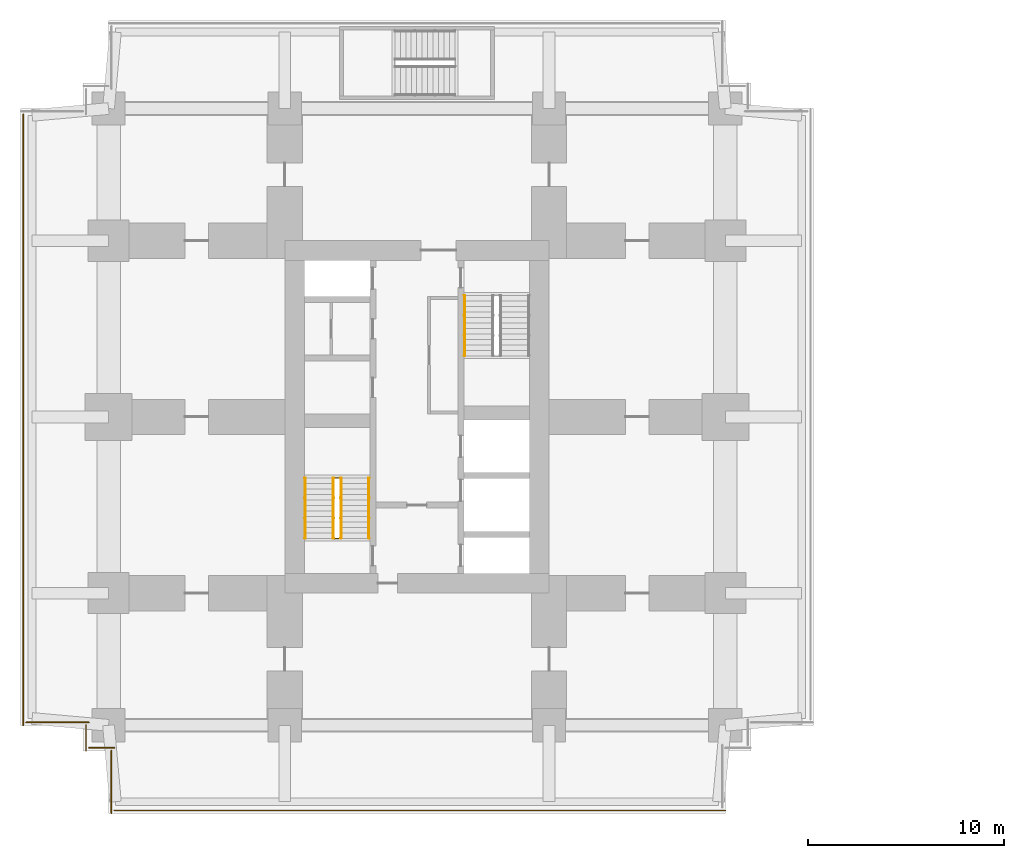
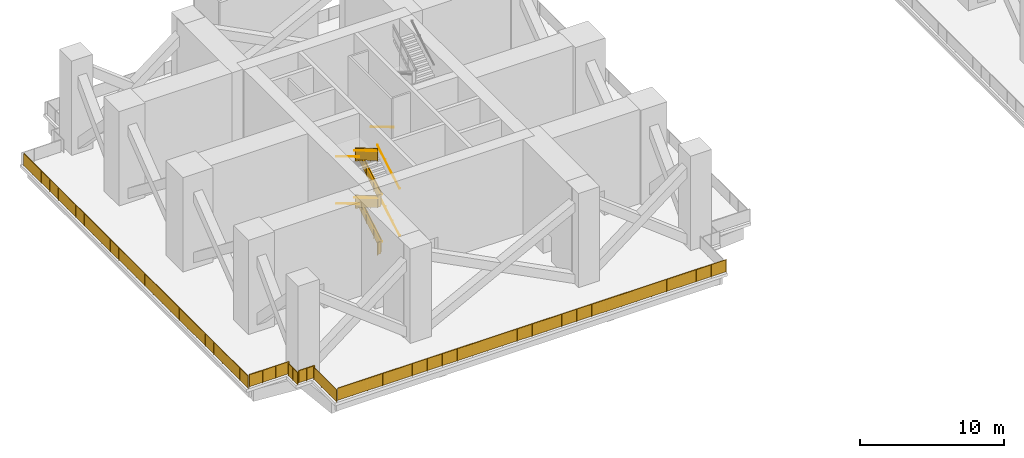
# One storey, part 7 of 11: 16 railings.
"""IFC4 building model written with IfcOpenShell, lengths in metres."""

from ifc_helpers import new_model, si_unit, direction, frame, origin, origin_2d, place, context, subcontext, project, spatial, polyline, circle, outline, extrude, material, type_object, element, save


model = new_model("IFC4")

# Units and contexts
model_context = context("Model", 3, precision=1e-05, world=origin(), true_north=direction((0.0, 1.0)))
body_context = subcontext(model_context, "Body", "Model", "MODEL_VIEW")
ifc_project = project(units=[si_unit("LENGTHUNIT", "METRE"), si_unit("AREAUNIT", "SQUARE_METRE"), si_unit("VOLUMEUNIT", "CUBIC_METRE"), si_unit("PLANEANGLEUNIT", "RADIAN"), si_unit("MASSUNIT", "GRAM", prefix="KILO")], contexts=[model_context])

# Site, building, storey
site_placement = place(None, origin())
site = spatial("IfcSite", under=ifc_project, at=site_placement, CompositionType="ELEMENT")
building_placement = place(site_placement, origin())
building = spatial("IfcBuilding", under=site, at=building_placement, Name="Namib Vertical Campus", CompositionType="ELEMENT")
storey_placement = place(building_placement, frame((0.0, 0.0, 169.0)))
storey = spatial("IfcBuildingStorey", under=building, at=storey_placement, Name="L40", CompositionType="ELEMENT", Elevation=169.0)

# Railings
ifc_material_1 = material(Name="Toughened glass balustrade", Category="glass")
railing_type_1 = type_object("IfcRailingType", Name="Edge guard 1100", PredefinedType="GUARDRAIL", material=ifc_material_1)
railing_1_placement = place(storey_placement, frame((4.800048828125, 0.14990234375, 0.0)))
element("IfcRailing", 1, at=railing_1_placement, inside=storey, type_object=railing_type_1, Name="Refuge edge guard GR2 A L40 1", PredefinedType="GUARDRAIL", context=body_context, shape_type="SweptSolid", body=[
    extrude(circle(Radius=0.02392578125, at=origin_2d()), frame((0.0, 0.0, 1.076171875), z_axis=(1.0, 0.0, 0.0), x_axis=(0.0, 1.0, 0.0)), (0.0, 0.0, 1.0), 31.199951171875),
    extrude(outline(polyline([(0.02099609375, 0.050048828125), (31.178955078125, 0.050048828125), (31.178955078125, 1.052001953125), (0.02099609375, 1.052001953125), (0.02099609375, 0.050048828125)])), frame((0.0, 0.0107421875, 0.0), z_axis=(0.0, -1.0, 0.0), x_axis=(1.0, 0.0, 0.0)), (0.0, 0.0, 1.0), 0.021484375),
    extrude(circle(Radius=0.02099609375, at=origin_2d()), origin(), (0.0, 0.0, 1.0), 1.052001953125),
    extrude(circle(Radius=0.02099609375, at=origin_2d()), frame((1.199951171875, 0.0, 0.0)), (0.0, 0.0, 1.0), 1.052001953125),
    extrude(circle(Radius=0.02099609375, at=origin_2d()), frame((2.39990234375, 0.0, 0.0)), (0.0, 0.0, 1.0), 1.052001953125),
    extrude(circle(Radius=0.02099609375, at=origin_2d()), frame((3.60009765625, 0.0, 0.0)), (0.0, 0.0, 1.0), 1.052001953125),
    extrude(circle(Radius=0.02099609375, at=origin_2d()), frame((4.800048828125, 0.0, 0.0)), (0.0, 0.0, 1.0), 1.052001953125),
    extrude(circle(Radius=0.02099609375, at=origin_2d()), frame((6.0, 0.0, 0.0)), (0.0, 0.0, 1.0), 1.052001953125),
    extrude(circle(Radius=0.02099609375, at=origin_2d()), frame((7.199951171875, 0.0, 0.0)), (0.0, 0.0, 1.0), 1.052001953125),
    extrude(circle(Radius=0.02099609375, at=origin_2d()), frame((8.39990234375, 0.0, 0.0)), (0.0, 0.0, 1.0), 1.052001953125),
    extrude(circle(Radius=0.02099609375, at=origin_2d()), frame((9.60009765625, 0.0, 0.0)), (0.0, 0.0, 1.0), 1.052001953125),
    extrude(circle(Radius=0.02099609375, at=origin_2d()), frame((10.800048828125, 0.0, 0.0)), (0.0, 0.0, 1.0), 1.052001953125),
    extrude(circle(Radius=0.02099609375, at=origin_2d()), frame((12.0, 0.0, 0.0)), (0.0, 0.0, 1.0), 1.052001953125),
    extrude(circle(Radius=0.02099609375, at=origin_2d()), frame((13.199951171875, 0.0, 0.0)), (0.0, 0.0, 1.0), 1.052001953125),
    extrude(circle(Radius=0.02099609375, at=origin_2d()), frame((14.39990234375, 0.0, 0.0)), (0.0, 0.0, 1.0), 1.052001953125),
    extrude(circle(Radius=0.02099609375, at=origin_2d()), frame((15.60009765625, 0.0, 0.0)), (0.0, 0.0, 1.0), 1.052001953125),
    extrude(circle(Radius=0.02099609375, at=origin_2d()), frame((16.800048828125, 0.0, 0.0)), (0.0, 0.0, 1.0), 1.052001953125),
    extrude(circle(Radius=0.02099609375, at=origin_2d()), frame((18.0, 0.0, 0.0)), (0.0, 0.0, 1.0), 1.052001953125),
    extrude(circle(Radius=0.02099609375, at=origin_2d()), frame((19.199951171875, 0.0, 0.0)), (0.0, 0.0, 1.0), 1.052001953125),
    extrude(circle(Radius=0.02099609375, at=origin_2d()), frame((20.39990234375, 0.0, 0.0)), (0.0, 0.0, 1.0), 1.052001953125),
    extrude(circle(Radius=0.02099609375, at=origin_2d()), frame((21.599853515625, 0.0, 0.0)), (0.0, 0.0, 1.0), 1.052001953125),
    extrude(circle(Radius=0.02099609375, at=origin_2d()), frame((22.800048828125, 0.0, 0.0)), (0.0, 0.0, 1.0), 1.052001953125),
    extrude(circle(Radius=0.02099609375, at=origin_2d()), frame((24.0, 0.0, 0.0)), (0.0, 0.0, 1.0), 1.052001953125),
    extrude(circle(Radius=0.02099609375, at=origin_2d()), frame((25.199951171875, 0.0, 0.0)), (0.0, 0.0, 1.0), 1.052001953125),
    extrude(circle(Radius=0.02099609375, at=origin_2d()), frame((26.39990234375, 0.0, 0.0)), (0.0, 0.0, 1.0), 1.052001953125),
    extrude(circle(Radius=0.02099609375, at=origin_2d()), frame((27.599853515625, 0.0, 0.0)), (0.0, 0.0, 1.0), 1.052001953125),
    extrude(circle(Radius=0.02099609375, at=origin_2d()), frame((28.800048828125, 0.0, 0.0)), (0.0, 0.0, 1.0), 1.052001953125),
    extrude(circle(Radius=0.02099609375, at=origin_2d()), frame((30.0, 0.0, 0.0)), (0.0, 0.0, 1.0), 1.052001953125),
    extrude(circle(Radius=0.02099609375, at=origin_2d()), frame((31.199951171875, 0.0, 0.0)), (0.0, 0.0, 1.0), 1.052001953125),
])
railing_2_placement = place(storey_placement, frame((0.14990234375, 35.699951171875, 0.0)))
element("IfcRailing", 2, at=railing_2_placement, inside=storey, type_object=railing_type_1, Name="Refuge edge guard GR2 A L40 16", PredefinedType="GUARDRAIL", context=body_context, shape_type="SweptSolid", body=[
    extrude(circle(Radius=0.02392578125, at=origin_2d()), frame((0.0, 0.0, 1.076171875), z_axis=(0.0, -1.0, 0.0), x_axis=(1.0, 0.0, 0.0)), (0.0, 0.0, 1.0), 31.199951171875),
    extrude(outline(polyline([(0.02099609375, 0.050048828125), (31.178955078125, 0.050048828125), (31.178955078125, 1.052001953125), (0.02099609375, 1.052001953125), (0.02099609375, 0.050048828125)])), frame((0.0107421875, 0.0, 0.0), z_axis=(-1.0, 0.0, 0.0), x_axis=(0.0, -1.0, 0.0)), (0.0, 0.0, 1.0), 0.021484375),
    extrude(circle(Radius=0.02099609375, at=origin_2d()), origin(), (0.0, 0.0, 1.0), 1.052001953125),
    extrude(circle(Radius=0.02099609375, at=origin_2d()), frame((0.0, -1.199951171875, 0.0)), (0.0, 0.0, 1.0), 1.052001953125),
    extrude(circle(Radius=0.02099609375, at=origin_2d()), frame((0.0, -2.39990234375, 0.0)), (0.0, 0.0, 1.0), 1.052001953125),
    extrude(circle(Radius=0.02099609375, at=origin_2d()), frame((0.0, -3.60009765625, 0.0)), (0.0, 0.0, 1.0), 1.052001953125),
    extrude(circle(Radius=0.02099609375, at=origin_2d()), frame((0.0, -4.800048828125, 0.0)), (0.0, 0.0, 1.0), 1.052001953125),
    extrude(circle(Radius=0.02099609375, at=origin_2d()), frame((0.0, -6.0, 0.0)), (0.0, 0.0, 1.0), 1.052001953125),
    extrude(circle(Radius=0.02099609375, at=origin_2d()), frame((0.0, -7.199951171875, 0.0)), (0.0, 0.0, 1.0), 1.052001953125),
    extrude(circle(Radius=0.02099609375, at=origin_2d()), frame((0.0, -8.39990234375, 0.0)), (0.0, 0.0, 1.0), 1.052001953125),
    extrude(circle(Radius=0.02099609375, at=origin_2d()), frame((0.0, -9.60009765625, 0.0)), (0.0, 0.0, 1.0), 1.052001953125),
    extrude(circle(Radius=0.02099609375, at=origin_2d()), frame((0.0, -10.800048828125, 0.0)), (0.0, 0.0, 1.0), 1.052001953125),
    extrude(circle(Radius=0.02099609375, at=origin_2d()), frame((0.0, -12.0, 0.0)), (0.0, 0.0, 1.0), 1.052001953125),
    extrude(circle(Radius=0.02099609375, at=origin_2d()), frame((0.0, -13.199951171875, 0.0)), (0.0, 0.0, 1.0), 1.052001953125),
    extrude(circle(Radius=0.02099609375, at=origin_2d()), frame((0.0, -14.39990234375, 0.0)), (0.0, 0.0, 1.0), 1.052001953125),
    extrude(circle(Radius=0.02099609375, at=origin_2d()), frame((0.0, -15.60009765625, 0.0)), (0.0, 0.0, 1.0), 1.052001953125),
    extrude(circle(Radius=0.02099609375, at=origin_2d()), frame((0.0, -16.800048828125, 0.0)), (0.0, 0.0, 1.0), 1.052001953125),
    extrude(circle(Radius=0.02099609375, at=origin_2d()), frame((0.0, -18.0, 0.0)), (0.0, 0.0, 1.0), 1.052001953125),
    extrude(circle(Radius=0.02099609375, at=origin_2d()), frame((0.0, -19.199951171875, 0.0)), (0.0, 0.0, 1.0), 1.052001953125),
    extrude(circle(Radius=0.02099609375, at=origin_2d()), frame((0.0, -20.39990234375, 0.0)), (0.0, 0.0, 1.0), 1.052001953125),
    extrude(circle(Radius=0.02099609375, at=origin_2d()), frame((0.0, -21.599853515625, 0.0)), (0.0, 0.0, 1.0), 1.052001953125),
    extrude(circle(Radius=0.02099609375, at=origin_2d()), frame((0.0, -22.800048828125, 0.0)), (0.0, 0.0, 1.0), 1.052001953125),
    extrude(circle(Radius=0.02099609375, at=origin_2d()), frame((0.0, -24.0, 0.0)), (0.0, 0.0, 1.0), 1.052001953125),
    extrude(circle(Radius=0.02099609375, at=origin_2d()), frame((0.0, -25.199951171875, 0.0)), (0.0, 0.0, 1.0), 1.052001953125),
    extrude(circle(Radius=0.02099609375, at=origin_2d()), frame((0.0, -26.39990234375, 0.0)), (0.0, 0.0, 1.0), 1.052001953125),
    extrude(circle(Radius=0.02099609375, at=origin_2d()), frame((0.0, -27.599853515625, 0.0)), (0.0, 0.0, 1.0), 1.052001953125),
    extrude(circle(Radius=0.02099609375, at=origin_2d()), frame((0.0, -28.800048828125, 0.0)), (0.0, 0.0, 1.0), 1.052001953125),
    extrude(circle(Radius=0.02099609375, at=origin_2d()), frame((0.0, -30.0, 0.0)), (0.0, 0.0, 1.0), 1.052001953125),
    extrude(circle(Radius=0.02099609375, at=origin_2d()), frame((0.0, -31.199951171875, 0.0)), (0.0, 0.0, 1.0), 1.052001953125),
])
railing_3_placement = place(storey_placement, frame((0.300048828125, 4.64990234375, 0.0)))
element("IfcRailing", 3, at=railing_3_placement, inside=storey, type_object=railing_type_1, Name="Refuge edge guard GR2 A L40 17", PredefinedType="GUARDRAIL", context=body_context, shape_type="SweptSolid", body=[
    extrude(circle(Radius=0.02392578125, at=origin_2d()), frame((0.0, 0.0, 1.076171875), z_axis=(1.0, 0.0, 0.0), x_axis=(0.0, 1.0, 0.0)), (0.0, 0.0, 1.0), 3.199951171875),
    extrude(outline(polyline([(0.02099609375, 0.050048828125), (3.178955078125, 0.050048828125), (3.178955078125, 1.052001953125), (0.02099609375, 1.052001953125), (0.02099609375, 0.050048828125)])), frame((0.0, 0.0107421875, 0.0), z_axis=(0.0, -1.0, 0.0), x_axis=(1.0, 0.0, 0.0)), (0.0, 0.0, 1.0), 0.021484375),
    extrude(circle(Radius=0.02099609375, at=origin_2d()), origin(), (0.0, 0.0, 1.0), 1.052001953125),
    extrude(circle(Radius=0.02099609375, at=origin_2d()), frame((1.066650390625, 0.0, 0.0)), (0.0, 0.0, 1.0), 1.052001953125),
    extrude(circle(Radius=0.02099609375, at=origin_2d()), frame((2.13330078125, 0.0, 0.0)), (0.0, 0.0, 1.0), 1.052001953125),
    extrude(circle(Radius=0.02099609375, at=origin_2d()), frame((3.199951171875, 0.0, 0.0)), (0.0, 0.0, 1.0), 1.052001953125),
])
railing_4_placement = place(storey_placement, frame((3.35009765625, 4.5, 0.0)))
element("IfcRailing", 4, at=railing_4_placement, inside=storey, type_object=railing_type_1, Name="Refuge edge guard GR2 A L40 18", PredefinedType="GUARDRAIL", context=body_context, shape_type="SweptSolid", body=[
    extrude(circle(Radius=0.02392578125, at=origin_2d()), frame((0.0, 0.0, 1.076171875), z_axis=(0.0, -1.0, 0.0), x_axis=(1.0, 0.0, 0.0)), (0.0, 0.0, 1.0), 1.300048828125),
    extrude(outline(polyline([(0.02099609375, 0.050048828125), (1.279052734375, 0.050048828125), (1.279052734375, 1.052001953125), (0.02099609375, 1.052001953125), (0.02099609375, 0.050048828125)])), frame((0.0107421875, 0.0, 0.0), z_axis=(-1.0, 0.0, 0.0), x_axis=(0.0, -1.0, 0.0)), (0.0, 0.0, 1.0), 0.021484375),
    extrude(circle(Radius=0.02099609375, at=origin_2d()), origin(), (0.0, 0.0, 1.0), 1.052001953125),
    extrude(circle(Radius=0.02099609375, at=origin_2d()), frame((0.0, -0.64990234375, 0.0)), (0.0, 0.0, 1.0), 1.052001953125),
    extrude(circle(Radius=0.02099609375, at=origin_2d()), frame((0.0, -1.300048828125, 0.0)), (0.0, 0.0, 1.0), 1.052001953125),
])
railing_5_placement = place(storey_placement, frame((3.5, 3.35009765625, 0.0)))
element("IfcRailing", 5, at=railing_5_placement, inside=storey, type_object=railing_type_1, Name="Refuge edge guard GR2 A L40 19", PredefinedType="GUARDRAIL", context=body_context, shape_type="SweptSolid", body=[
    extrude(circle(Radius=0.02392578125, at=origin_2d()), frame((0.0, 0.0, 1.076171875), z_axis=(1.0, 0.0, 0.0), x_axis=(0.0, 1.0, 0.0)), (0.0, 0.0, 1.0), 1.300048828125),
    extrude(outline(polyline([(0.02099609375, 0.050048828125), (1.279052734375, 0.050048828125), (1.279052734375, 1.052001953125), (0.02099609375, 1.052001953125), (0.02099609375, 0.050048828125)])), frame((0.0, 0.0107421875, 0.0), z_axis=(0.0, -1.0, 0.0), x_axis=(1.0, 0.0, 0.0)), (0.0, 0.0, 1.0), 0.021484375),
    extrude(circle(Radius=0.02099609375, at=origin_2d()), origin(), (0.0, 0.0, 1.0), 1.052001953125),
    extrude(circle(Radius=0.02099609375, at=origin_2d()), frame((0.64990234375, 0.0, 0.0)), (0.0, 0.0, 1.0), 1.052001953125),
    extrude(circle(Radius=0.02099609375, at=origin_2d()), frame((1.300048828125, 0.0, 0.0)), (0.0, 0.0, 1.0), 1.052001953125),
])
railing_6_placement = place(storey_placement, frame((4.64990234375, 3.199951171875, 0.0)))
element("IfcRailing", 6, at=railing_6_placement, inside=storey, type_object=railing_type_1, Name="Refuge edge guard GR2 A L40 20", PredefinedType="GUARDRAIL", context=body_context, shape_type="SweptSolid", body=[
    extrude(circle(Radius=0.02392578125, at=origin_2d()), frame((0.0, 0.0, 1.076171875), z_axis=(0.0, -1.0, 0.0), x_axis=(1.0, 0.0, 0.0)), (0.0, 0.0, 1.0), 3.199951171875),
    extrude(outline(polyline([(0.02099609375, 0.050048828125), (3.178955078125, 0.050048828125), (3.178955078125, 1.052001953125), (0.02099609375, 1.052001953125), (0.02099609375, 0.050048828125)])), frame((0.0107421875, 0.0, 0.0), z_axis=(-1.0, 0.0, 0.0), x_axis=(0.0, -1.0, 0.0)), (0.0, 0.0, 1.0), 0.021484375),
    extrude(circle(Radius=0.02099609375, at=origin_2d()), origin(), (0.0, 0.0, 1.0), 1.052001953125),
    extrude(circle(Radius=0.02099609375, at=origin_2d()), frame((0.0, -1.066650390625, 0.0)), (0.0, 0.0, 1.0), 1.052001953125),
    extrude(circle(Radius=0.02099609375, at=origin_2d()), frame((0.0, -2.13330078125, 0.0)), (0.0, 0.0, 1.0), 1.052001953125),
    extrude(circle(Radius=0.02099609375, at=origin_2d()), frame((0.0, -3.199951171875, 0.0)), (0.0, 0.0, 1.0), 1.052001953125),
])
ifc_material_2 = material(Name="Steel handrail", Category="steel")
railing_type_2 = type_object("IfcRailingType", Name="Handrail 900", PredefinedType="HANDRAIL", material=ifc_material_2)
railing_7_placement = place(storey_placement, frame((17.800048828125, 14.050048828125, 0.166748046875)))
element("IfcRailing", 7, at=railing_7_placement, inside=storey, type_object=railing_type_2, Name="Handrail HR1 A-S1 L40 1", PredefinedType="HANDRAIL", context=body_context, shape_type="SweptSolid", body=[
    extrude(circle(Radius=0.02392578125, at=origin_2d()), frame((0.0, 0.0, 0.8759765625), z_axis=(0.0, 0.859290745958, 0.51148745235), x_axis=(-1.0, 0.0, 0.0)), (0.0, 0.0, 1.0), 3.584228515625),
    extrude(circle(Radius=0.008056640625, at=origin_2d()), frame((0.0, 0.0, 0.8759765625), z_axis=(1.0, 0.0, 0.0), x_axis=(0.0, 0.0, 1.0)), (0.0, 0.0, 1.0), 0.050048828125),
    extrude(circle(Radius=0.008056640625, at=origin_2d()), frame((0.0, 1.026611328125, 1.48681640625), z_axis=(1.0, 0.0, 0.0), x_axis=(0.0, 0.0, 1.0)), (0.0, 0.0, 1.0), 0.050048828125),
    extrude(circle(Radius=0.008056640625, at=origin_2d()), frame((0.0, 2.05322265625, 2.09814453125), z_axis=(1.0, 0.0, 0.0), x_axis=(0.0, 0.0, 1.0)), (0.0, 0.0, 1.0), 0.050048828125),
    extrude(circle(Radius=0.008056640625, at=origin_2d()), frame((0.0, 3.079833984375, 2.708984375), z_axis=(1.0, 0.0, 0.0), x_axis=(0.0, 0.0, 1.0)), (0.0, 0.0, 1.0), 0.050048828125),
])
railing_8_placement = place(storey_placement, frame((14.550048828125, 17.1298828125, 2.166748046875)))
element("IfcRailing", 8, at=railing_8_placement, inside=storey, type_object=railing_type_2, Name="Handrail HR1 A-S1 L40 2", PredefinedType="HANDRAIL", context=body_context, shape_type="SweptSolid", body=[
    extrude(circle(Radius=0.02392578125, at=origin_2d()), frame((0.0, 0.0, 0.8759765625), z_axis=(0.0, -0.859290745958, 0.51148745235), x_axis=(1.0, 0.0, 0.0)), (0.0, 0.0, 1.0), 3.584228515625),
    extrude(circle(Radius=0.008056640625, at=origin_2d()), frame((0.0, 0.0, 0.8759765625), z_axis=(-1.0, 0.0, 0.0), x_axis=(0.0, 0.0, 1.0)), (0.0, 0.0, 1.0), 0.050048828125),
    extrude(circle(Radius=0.008056640625, at=origin_2d()), frame((0.0, -1.026611328125, 1.48681640625), z_axis=(-1.0, 0.0, 0.0), x_axis=(0.0, 0.0, 1.0)), (0.0, 0.0, 1.0), 0.050048828125),
    extrude(circle(Radius=0.008056640625, at=origin_2d()), frame((0.0, -2.05322265625, 2.09814453125), z_axis=(-1.0, 0.0, 0.0), x_axis=(0.0, 0.0, 1.0)), (0.0, 0.0, 1.0), 0.050048828125),
    extrude(circle(Radius=0.008056640625, at=origin_2d()), frame((0.0, -3.079833984375, 2.708984375), z_axis=(-1.0, 0.0, 0.0), x_axis=(0.0, 0.0, 1.0)), (0.0, 0.0, 1.0), 0.050048828125),
])
railing_9_placement = place(storey_placement, frame((17.800048828125, 14.050048828125, 4.166748046875)))
element("IfcRailing", 9, at=railing_9_placement, inside=storey, type_object=railing_type_2, Name="Handrail HR1 A-S1 L40 3", PredefinedType="HANDRAIL", context=body_context, shape_type="SweptSolid", body=[
    extrude(circle(Radius=0.02392578125, at=origin_2d()), frame((0.0, 0.0, 0.8759765625), z_axis=(0.0, 0.859290745958, 0.51148745235), x_axis=(-1.0, 0.0, 0.0)), (0.0, 0.0, 1.0), 3.584228515625),
    extrude(circle(Radius=0.008056640625, at=origin_2d()), frame((0.0, 0.0, 0.8759765625), z_axis=(1.0, 0.0, 0.0), x_axis=(0.0, 0.0, 1.0)), (0.0, 0.0, 1.0), 0.050048828125),
    extrude(circle(Radius=0.008056640625, at=origin_2d()), frame((0.0, 1.026611328125, 1.48681640625), z_axis=(1.0, 0.0, 0.0), x_axis=(0.0, 0.0, 1.0)), (0.0, 0.0, 1.0), 0.050048828125),
    extrude(circle(Radius=0.008056640625, at=origin_2d()), frame((0.0, 2.05322265625, 2.09814453125), z_axis=(1.0, 0.0, 0.0), x_axis=(0.0, 0.0, 1.0)), (0.0, 0.0, 1.0), 0.050048828125),
    extrude(circle(Radius=0.008056640625, at=origin_2d()), frame((0.0, 3.079833984375, 2.708984375), z_axis=(1.0, 0.0, 0.0), x_axis=(0.0, 0.0, 1.0)), (0.0, 0.0, 1.0), 0.050048828125),
])
railing_10_placement = place(storey_placement, frame((14.550048828125, 17.1298828125, 6.166748046875)))
element("IfcRailing", 10, at=railing_10_placement, inside=storey, type_object=railing_type_2, Name="Handrail HR1 A-S1 L40 4", PredefinedType="HANDRAIL", context=body_context, shape_type="SweptSolid", body=[
    extrude(circle(Radius=0.02392578125, at=origin_2d()), frame((0.0, 0.0, 0.8759765625), z_axis=(0.0, -0.859290745958, 0.51148745235), x_axis=(1.0, 0.0, 0.0)), (0.0, 0.0, 1.0), 3.584228515625),
    extrude(circle(Radius=0.008056640625, at=origin_2d()), frame((0.0, 0.0, 0.8759765625), z_axis=(-1.0, 0.0, 0.0), x_axis=(0.0, 0.0, 1.0)), (0.0, 0.0, 1.0), 0.050048828125),
    extrude(circle(Radius=0.008056640625, at=origin_2d()), frame((0.0, -1.026611328125, 1.48681640625), z_axis=(-1.0, 0.0, 0.0), x_axis=(0.0, 0.0, 1.0)), (0.0, 0.0, 1.0), 0.050048828125),
    extrude(circle(Radius=0.008056640625, at=origin_2d()), frame((0.0, -2.05322265625, 2.09814453125), z_axis=(-1.0, 0.0, 0.0), x_axis=(0.0, 0.0, 1.0)), (0.0, 0.0, 1.0), 0.050048828125),
    extrude(circle(Radius=0.008056640625, at=origin_2d()), frame((0.0, -3.079833984375, 2.708984375), z_axis=(-1.0, 0.0, 0.0), x_axis=(0.0, 0.0, 1.0)), (0.0, 0.0, 1.0), 0.050048828125),
])
railing_11_placement = place(storey_placement, frame((16.375, 14.050048828125, 0.166748046875)))
element("IfcRailing", 11, at=railing_11_placement, inside=storey, type_object=railing_type_2, Name="Handrail HR1 A-S1 L40 1 at the well", PredefinedType="HANDRAIL", context=body_context, shape_type="SweptSolid", body=[
    extrude(circle(Radius=0.02392578125, at=origin_2d()), frame((0.0, 0.0, 0.8759765625), z_axis=(0.0, 0.859290745958, 0.51148745235), x_axis=(-1.0, 0.0, 0.0)), (0.0, 0.0, 1.0), 3.584228515625),
    extrude(circle(Radius=0.008056640625, at=origin_2d()), frame((0.0, 0.0, 0.8759765625), z_axis=(-1.0, 0.0, 0.0), x_axis=(0.0, 0.0, 1.0)), (0.0, 0.0, 1.0), 0.0400390625),
    extrude(circle(Radius=0.008056640625, at=origin_2d()), frame((0.0, 1.026611328125, 1.48681640625), z_axis=(-1.0, 0.0, 0.0), x_axis=(0.0, 0.0, 1.0)), (0.0, 0.0, 1.0), 0.0400390625),
    extrude(circle(Radius=0.008056640625, at=origin_2d()), frame((0.0, 2.05322265625, 2.09814453125), z_axis=(-1.0, 0.0, 0.0), x_axis=(0.0, 0.0, 1.0)), (0.0, 0.0, 1.0), 0.0400390625),
    extrude(circle(Radius=0.008056640625, at=origin_2d()), frame((0.0, 3.079833984375, 2.708984375), z_axis=(-1.0, 0.0, 0.0), x_axis=(0.0, 0.0, 1.0)), (0.0, 0.0, 1.0), 0.0400390625),
])
railing_12_placement = place(storey_placement, frame((15.97509765625, 17.1298828125, 2.166748046875)))
element("IfcRailing", 12, at=railing_12_placement, inside=storey, type_object=railing_type_2, Name="Handrail HR1 A-S1 L40 2 at the well", PredefinedType="HANDRAIL", context=body_context, shape_type="SweptSolid", body=[
    extrude(circle(Radius=0.02392578125, at=origin_2d()), frame((0.0, 0.0, 0.8759765625), z_axis=(0.0, -0.859290745958, 0.51148745235), x_axis=(1.0, 0.0, 0.0)), (0.0, 0.0, 1.0), 3.584228515625),
    extrude(circle(Radius=0.008056640625, at=origin_2d()), frame((0.0, 0.0, 0.8759765625), z_axis=(1.0, 0.0, 0.0), x_axis=(0.0, 0.0, 1.0)), (0.0, 0.0, 1.0), 0.0400390625),
    extrude(circle(Radius=0.008056640625, at=origin_2d()), frame((0.0, -1.026611328125, 1.48681640625), z_axis=(1.0, 0.0, 0.0), x_axis=(0.0, 0.0, 1.0)), (0.0, 0.0, 1.0), 0.0400390625),
    extrude(circle(Radius=0.008056640625, at=origin_2d()), frame((0.0, -2.05322265625, 2.09814453125), z_axis=(1.0, 0.0, 0.0), x_axis=(0.0, 0.0, 1.0)), (0.0, 0.0, 1.0), 0.0400390625),
    extrude(circle(Radius=0.008056640625, at=origin_2d()), frame((0.0, -3.079833984375, 2.708984375), z_axis=(1.0, 0.0, 0.0), x_axis=(0.0, 0.0, 1.0)), (0.0, 0.0, 1.0), 0.0400390625),
])
railing_13_placement = place(storey_placement, frame((16.375, 14.050048828125, 4.166748046875)))
element("IfcRailing", 13, at=railing_13_placement, inside=storey, type_object=railing_type_2, Name="Handrail HR1 A-S1 L40 3 at the well", PredefinedType="HANDRAIL", context=body_context, shape_type="SweptSolid", body=[
    extrude(circle(Radius=0.02392578125, at=origin_2d()), frame((0.0, 0.0, 0.8759765625), z_axis=(0.0, 0.859290745958, 0.51148745235), x_axis=(-1.0, 0.0, 0.0)), (0.0, 0.0, 1.0), 3.584228515625),
    extrude(circle(Radius=0.008056640625, at=origin_2d()), frame((0.0, 0.0, 0.8759765625), z_axis=(-1.0, 0.0, 0.0), x_axis=(0.0, 0.0, 1.0)), (0.0, 0.0, 1.0), 0.0400390625),
    extrude(circle(Radius=0.008056640625, at=origin_2d()), frame((0.0, 1.026611328125, 1.48681640625), z_axis=(-1.0, 0.0, 0.0), x_axis=(0.0, 0.0, 1.0)), (0.0, 0.0, 1.0), 0.0400390625),
    extrude(circle(Radius=0.008056640625, at=origin_2d()), frame((0.0, 2.05322265625, 2.09814453125), z_axis=(-1.0, 0.0, 0.0), x_axis=(0.0, 0.0, 1.0)), (0.0, 0.0, 1.0), 0.0400390625),
    extrude(circle(Radius=0.008056640625, at=origin_2d()), frame((0.0, 3.079833984375, 2.708984375), z_axis=(-1.0, 0.0, 0.0), x_axis=(0.0, 0.0, 1.0)), (0.0, 0.0, 1.0), 0.0400390625),
])
railing_14_placement = place(storey_placement, frame((15.97509765625, 17.1298828125, 6.166748046875)))
element("IfcRailing", 14, at=railing_14_placement, inside=storey, type_object=railing_type_2, Name="Handrail HR1 A-S1 L40 4 at the well", PredefinedType="HANDRAIL", context=body_context, shape_type="SweptSolid", body=[
    extrude(circle(Radius=0.02392578125, at=origin_2d()), frame((0.0, 0.0, 0.8759765625), z_axis=(0.0, -0.859290745958, 0.51148745235), x_axis=(1.0, 0.0, 0.0)), (0.0, 0.0, 1.0), 3.584228515625),
    extrude(circle(Radius=0.008056640625, at=origin_2d()), frame((0.0, 0.0, 0.8759765625), z_axis=(1.0, 0.0, 0.0), x_axis=(0.0, 0.0, 1.0)), (0.0, 0.0, 1.0), 0.0400390625),
    extrude(circle(Radius=0.008056640625, at=origin_2d()), frame((0.0, -1.026611328125, 1.48681640625), z_axis=(1.0, 0.0, 0.0), x_axis=(0.0, 0.0, 1.0)), (0.0, 0.0, 1.0), 0.0400390625),
    extrude(circle(Radius=0.008056640625, at=origin_2d()), frame((0.0, -2.05322265625, 2.09814453125), z_axis=(1.0, 0.0, 0.0), x_axis=(0.0, 0.0, 1.0)), (0.0, 0.0, 1.0), 0.0400390625),
    extrude(circle(Radius=0.008056640625, at=origin_2d()), frame((0.0, -3.079833984375, 2.708984375), z_axis=(1.0, 0.0, 0.0), x_axis=(0.0, 0.0, 1.0)), (0.0, 0.0, 1.0), 0.0400390625),
])
railing_15_placement = place(storey_placement, frame((22.699951171875, 26.449951171875, 0.166748046875)))
element("IfcRailing", 15, at=railing_15_placement, inside=storey, type_object=railing_type_2, Name="Handrail HR1 A-S2 L40 1", PredefinedType="HANDRAIL", context=body_context, shape_type="SweptSolid", body=[
    extrude(circle(Radius=0.02392578125, at=origin_2d()), frame((0.0, 0.0, 0.8759765625), z_axis=(0.0, -0.859290745958, 0.51148745235), x_axis=(1.0, 0.0, 0.0)), (0.0, 0.0, 1.0), 3.584228515625),
    extrude(circle(Radius=0.008056640625, at=origin_2d()), frame((0.0, 0.0, 0.8759765625), z_axis=(-1.0, 0.0, 0.0), x_axis=(0.0, 0.0, 1.0)), (0.0, 0.0, 1.0), 0.050048828125),
    extrude(circle(Radius=0.008056640625, at=origin_2d()), frame((0.0, -1.026611328125, 1.48681640625), z_axis=(-1.0, 0.0, 0.0), x_axis=(0.0, 0.0, 1.0)), (0.0, 0.0, 1.0), 0.050048828125),
    extrude(circle(Radius=0.008056640625, at=origin_2d()), frame((0.0, -2.05322265625, 2.09814453125), z_axis=(-1.0, 0.0, 0.0), x_axis=(0.0, 0.0, 1.0)), (0.0, 0.0, 1.0), 0.050048828125),
    extrude(circle(Radius=0.008056640625, at=origin_2d()), frame((0.0, -3.079833984375, 2.708984375), z_axis=(-1.0, 0.0, 0.0), x_axis=(0.0, 0.0, 1.0)), (0.0, 0.0, 1.0), 0.050048828125),
])
ifc_material_3 = material(Name="Steel balustrade", Category="steel")
railing_type_3 = type_object("IfcRailingType", Name="Stair guard 1100", PredefinedType="GUARDRAIL", material=ifc_material_3)
railing_16_placement = place(storey_placement, frame((16.02490234375, 14.050048828125, 0.0)))
element("IfcRailing", 16, at=railing_16_placement, inside=storey, type_object=railing_type_3, Name="Stair guard GR1 A-S1 L40", PredefinedType="GUARDRAIL", context=body_context, shape_type="SweptSolid", body=[
    extrude(circle(Radius=0.02392578125, at=origin_2d()), frame((0.0, 0.0, 1.076171875), z_axis=(1.0, 0.0, 0.0), x_axis=(0.0, 1.0, 0.0)), (0.0, 0.0, 1.0), 0.300048828125),
    extrude(outline(polyline([(0.02099609375, 0.050048828125), (0.279052734375, 0.050048828125), (0.279052734375, 1.052001953125), (0.02099609375, 1.052001953125), (0.02099609375, 0.050048828125)])), frame((0.0, 0.010009765625, 0.0), z_axis=(0.0, -1.0, 0.0), x_axis=(1.0, 0.0, 0.0)), (0.0, 0.0, 1.0), 0.02001953125),
    extrude(circle(Radius=0.02392578125, at=origin_2d()), frame((0.300048828125, 0.0, 1.076171875), z_axis=(0.0, 0.0, 1.0), x_axis=(1.0, 0.0, 0.0)), (0.0, 0.0, 1.0), 0.166748046875),
    extrude(circle(Radius=0.02392578125, at=origin_2d()), frame((0.300048828125, 0.0, 1.24267578125), z_axis=(0.0, 0.859290745958, 0.51148745235), x_axis=(-1.0, 0.0, 0.0)), (0.0, 0.0, 1.0), 3.584228515625),
    extrude(outline(polyline([(0.02099609375, 0.0625), (3.058837890625, 1.870849609375), (3.058837890625, 2.872802734375), (0.02099609375, 1.064453125), (0.02099609375, 0.0625)])), frame((0.2900390625, 0.0, 0.166748046875), z_axis=(1.0, 0.0, 0.0), x_axis=(0.0, 1.0, 0.0)), (0.0, 0.0, 1.0), 0.02001953125),
    extrude(circle(Radius=0.02392578125, at=origin_2d()), frame((0.300048828125, 3.079833984375, 3.076171875), z_axis=(-1.0, 0.0, 0.0), x_axis=(0.0, -1.0, 0.0)), (0.0, 0.0, 1.0), 0.300048828125),
    extrude(outline(polyline([(0.02099609375, 0.050048828125), (0.279052734375, 0.050048828125), (0.279052734375, 1.052001953125), (0.02099609375, 1.052001953125), (0.02099609375, 0.050048828125)])), frame((0.300048828125, 3.06982421875, 2.0), z_axis=(0.0, 1.0, 0.0), x_axis=(-1.0, 0.0, 0.0)), (0.0, 0.0, 1.0), 0.02001953125),
    extrude(circle(Radius=0.02392578125, at=origin_2d()), frame((0.0, 3.079833984375, 3.076171875), z_axis=(0.0, 0.0, 1.0), x_axis=(1.0, 0.0, 0.0)), (0.0, 0.0, 1.0), 0.166748046875),
    extrude(circle(Radius=0.02392578125, at=origin_2d()), frame((0.0, 3.079833984375, 3.24267578125), z_axis=(0.0, -0.859290745958, 0.51148745235), x_axis=(1.0, 0.0, 0.0)), (0.0, 0.0, 1.0), 3.584228515625),
    extrude(outline(polyline([(0.02099609375, 0.0625), (3.058837890625, 1.870849609375), (3.058837890625, 2.872802734375), (0.02099609375, 1.064453125), (0.02099609375, 0.0625)])), frame((0.010009765625, 3.079833984375, 2.166748046875), z_axis=(-1.0, 0.0, 0.0), x_axis=(0.0, -1.0, 0.0)), (0.0, 0.0, 1.0), 0.02001953125),
    extrude(circle(Radius=0.02392578125, at=origin_2d()), frame((0.0, 0.0, 5.076171875), z_axis=(1.0, 0.0, 0.0), x_axis=(0.0, 1.0, 0.0)), (0.0, 0.0, 1.0), 0.300048828125),
    extrude(outline(polyline([(0.02099609375, 0.050048828125), (0.279052734375, 0.050048828125), (0.279052734375, 1.052001953125), (0.02099609375, 1.052001953125), (0.02099609375, 0.050048828125)])), frame((0.0, 0.010009765625, 4.0), z_axis=(0.0, -1.0, 0.0), x_axis=(1.0, 0.0, 0.0)), (0.0, 0.0, 1.0), 0.02001953125),
    extrude(circle(Radius=0.02392578125, at=origin_2d()), frame((0.300048828125, 0.0, 5.076171875), z_axis=(0.0, 0.0, 1.0), x_axis=(1.0, 0.0, 0.0)), (0.0, 0.0, 1.0), 0.166748046875),
    extrude(circle(Radius=0.02392578125, at=origin_2d()), frame((0.300048828125, 0.0, 5.24267578125), z_axis=(0.0, 0.859290745958, 0.51148745235), x_axis=(-1.0, 0.0, 0.0)), (0.0, 0.0, 1.0), 3.584228515625),
    extrude(outline(polyline([(0.02099609375, 0.0625), (3.058837890625, 1.870849609375), (3.058837890625, 2.872802734375), (0.02099609375, 1.064453125), (0.02099609375, 0.0625)])), frame((0.2900390625, 0.0, 4.166748046875), z_axis=(1.0, 0.0, 0.0), x_axis=(0.0, 1.0, 0.0)), (0.0, 0.0, 1.0), 0.02001953125),
    extrude(circle(Radius=0.02392578125, at=origin_2d()), frame((0.300048828125, 3.079833984375, 7.076171875), z_axis=(-1.0, 0.0, 0.0), x_axis=(0.0, -1.0, 0.0)), (0.0, 0.0, 1.0), 0.300048828125),
    extrude(outline(polyline([(0.02099609375, 0.050048828125), (0.279052734375, 0.050048828125), (0.279052734375, 1.052001953125), (0.02099609375, 1.052001953125), (0.02099609375, 0.050048828125)])), frame((0.300048828125, 3.06982421875, 6.0), z_axis=(0.0, 1.0, 0.0), x_axis=(-1.0, 0.0, 0.0)), (0.0, 0.0, 1.0), 0.02001953125),
    extrude(circle(Radius=0.02392578125, at=origin_2d()), frame((0.0, 3.079833984375, 7.076171875), z_axis=(0.0, 0.0, 1.0), x_axis=(1.0, 0.0, 0.0)), (0.0, 0.0, 1.0), 0.166748046875),
    extrude(circle(Radius=0.02392578125, at=origin_2d()), frame((0.0, 3.079833984375, 7.24267578125), z_axis=(0.0, -0.859290745958, 0.51148745235), x_axis=(1.0, 0.0, 0.0)), (0.0, 0.0, 1.0), 3.584228515625),
    extrude(outline(polyline([(0.02099609375, 0.0625), (3.058837890625, 1.870849609375), (3.058837890625, 2.872802734375), (0.02099609375, 1.064453125), (0.02099609375, 0.0625)])), frame((0.010009765625, 3.079833984375, 6.166748046875), z_axis=(-1.0, 0.0, 0.0), x_axis=(0.0, -1.0, 0.0)), (0.0, 0.0, 1.0), 0.02001953125),
    extrude(circle(Radius=0.02392578125, at=origin_2d()), frame((0.0, 0.0, 9.076171875), z_axis=(0.0, -1.0, 0.0), x_axis=(1.0, 0.0, 0.0)), (0.0, 0.0, 1.0), 0.050048828125),
    extrude(outline(polyline([(0.02099609375, 0.050048828125), (0.029052734375, 0.050048828125), (0.029052734375, 1.052001953125), (0.02099609375, 1.052001953125), (0.02099609375, 0.050048828125)])), frame((0.010009765625, 0.0, 8.0), z_axis=(-1.0, 0.0, 0.0), x_axis=(0.0, -1.0, 0.0)), (0.0, 0.0, 1.0), 0.02001953125),
    extrude(circle(Radius=0.02099609375, at=origin_2d()), origin(), (0.0, 0.0, 1.0), 1.052001953125),
    extrude(circle(Radius=0.02099609375, at=origin_2d()), frame((0.300048828125, 0.0, 0.166748046875)), (0.0, 0.0, 1.0), 1.052001953125),
    extrude(circle(Radius=0.02099609375, at=origin_2d()), frame((0.300048828125, 1.026611328125, 0.666748046875)), (0.0, 0.0, 1.0), 1.1630859375),
    extrude(circle(Radius=0.02099609375, at=origin_2d()), frame((0.300048828125, 2.05322265625, 1.33349609375)), (0.0, 0.0, 1.0), 1.107421875),
    extrude(circle(Radius=0.02099609375, at=origin_2d()), frame((0.300048828125, 3.079833984375, 2.0)), (0.0, 0.0, 1.0), 1.052001953125),
    extrude(circle(Radius=0.02099609375, at=origin_2d()), frame((0.0, 3.079833984375, 2.166748046875)), (0.0, 0.0, 1.0), 1.052001953125),
    extrude(circle(Radius=0.02099609375, at=origin_2d()), frame((0.0, 2.05322265625, 2.666748046875)), (0.0, 0.0, 1.0), 1.1630859375),
    extrude(circle(Radius=0.02099609375, at=origin_2d()), frame((0.0, 1.026611328125, 3.33349609375)), (0.0, 0.0, 1.0), 1.107421875),
    extrude(circle(Radius=0.02099609375, at=origin_2d()), frame((0.0, 0.0, 4.0)), (0.0, 0.0, 1.0), 1.052001953125),
    extrude(circle(Radius=0.02099609375, at=origin_2d()), frame((0.300048828125, 0.0, 4.166748046875)), (0.0, 0.0, 1.0), 1.052001953125),
    extrude(circle(Radius=0.02099609375, at=origin_2d()), frame((0.300048828125, 1.026611328125, 4.666748046875)), (0.0, 0.0, 1.0), 1.1630859375),
    extrude(circle(Radius=0.02099609375, at=origin_2d()), frame((0.300048828125, 2.05322265625, 5.33349609375)), (0.0, 0.0, 1.0), 1.107421875),
    extrude(circle(Radius=0.02099609375, at=origin_2d()), frame((0.300048828125, 3.079833984375, 6.0)), (0.0, 0.0, 1.0), 1.052001953125),
    extrude(circle(Radius=0.02099609375, at=origin_2d()), frame((0.0, 3.079833984375, 6.166748046875)), (0.0, 0.0, 1.0), 1.052001953125),
    extrude(circle(Radius=0.02099609375, at=origin_2d()), frame((0.0, 2.05322265625, 6.666748046875)), (0.0, 0.0, 1.0), 1.1630859375),
    extrude(circle(Radius=0.02099609375, at=origin_2d()), frame((0.0, 1.026611328125, 7.33349609375)), (0.0, 0.0, 1.0), 1.107421875),
    extrude(circle(Radius=0.02099609375, at=origin_2d()), frame((0.0, 0.0, 8.0)), (0.0, 0.0, 1.0), 1.052001953125),
    extrude(circle(Radius=0.02099609375, at=origin_2d()), frame((0.0, -0.050048828125, 8.0)), (0.0, 0.0, 1.0), 1.052001953125),
])

save(model, "model.ifc")
